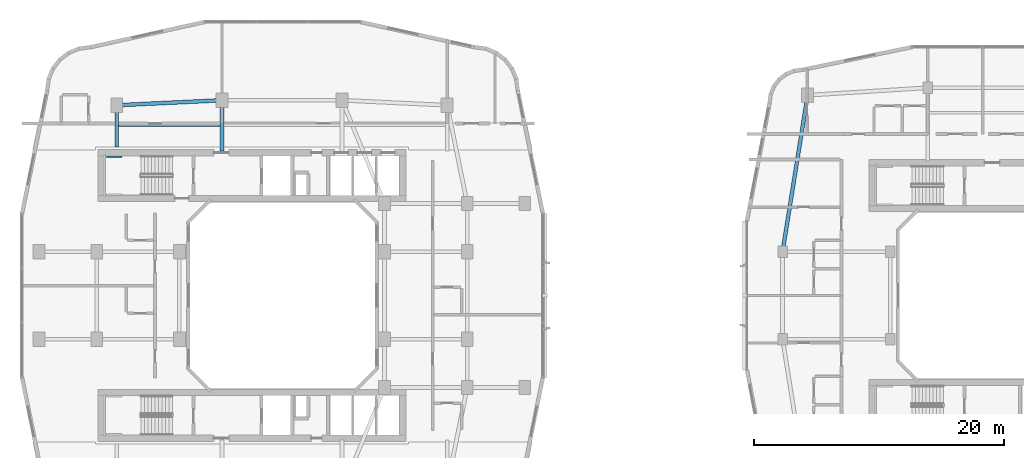
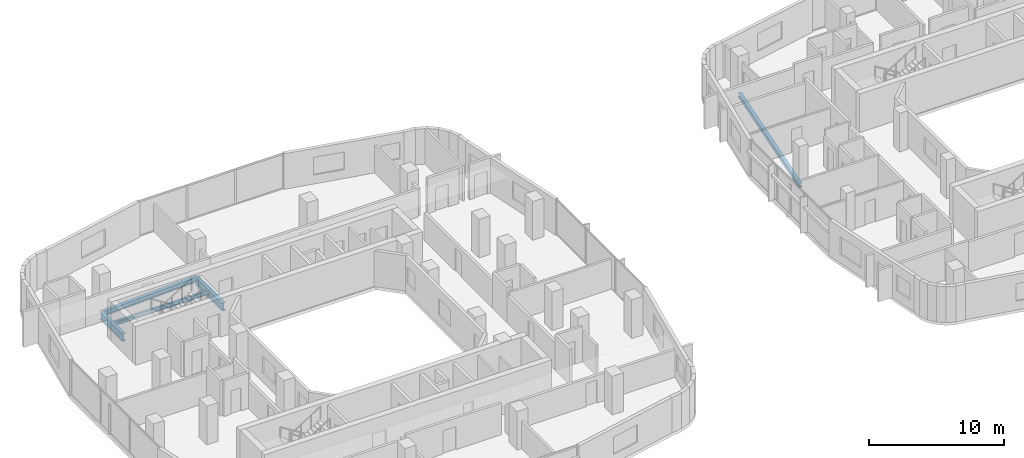
# One storey, part 6 of 26: 6 beams.
"""IFC4 building model written with IfcOpenShell, lengths in metres."""

from ifc_helpers import new_model, si_unit, derived_unit, direction, frame, origin, origin_2d, place, context, subcontext, project, spatial, i_section, extrude, material, material_profile, profile_set, type_object, element, save


model = new_model("IFC4")

# Units and contexts
model_context = context("Model", 3, precision=1e-05, world=origin(), true_north=direction((0.0, 1.0)))
body_context = subcontext(model_context, "Body", "Model", "MODEL_VIEW")
ifc_project = project(units=[si_unit("LENGTHUNIT", "METRE"), si_unit("AREAUNIT", "SQUARE_METRE"), si_unit("VOLUMEUNIT", "CUBIC_METRE"), si_unit("PLANEANGLEUNIT", "RADIAN"), si_unit("MASSUNIT", "GRAM", prefix="KILO"), derived_unit("THERMALTRANSMITTANCEUNIT", [(si_unit("POWERUNIT", "WATT"), 1), (si_unit("LENGTHUNIT", "METRE"), -2), (si_unit("THERMODYNAMICTEMPERATUREUNIT", "KELVIN"), -1)])], contexts=[model_context])

# Site, building, storey
site_placement = place(None, origin())
site = spatial("IfcSite", under=ifc_project, at=site_placement, CompositionType="ELEMENT")
building_placement = place(site_placement, origin())
building = spatial("IfcBuilding", under=site, at=building_placement, Name="Kivonza Crest Hotel", CompositionType="ELEMENT")
storey_placement = place(building_placement, frame((0.0, 0.0, 62.5)))
storey = spatial("IfcBuildingStorey", under=building, at=storey_placement, Name="L16", CompositionType="ELEMENT", Elevation=62.5)

# Beams
ifc_material = material(Name="Steel S355", Category="steel")
ifc_material_profile_1 = material_profile(ifc_material, i_section(OverallWidth=0.300048828125, OverallDepth=0.360107421875, WebThickness=0.012451171875, FlangeThickness=0.0224609375, FilletRadius=0.027099609375, at=origin_2d()), Name="HEB 360")
ifc_profile_set_1 = profile_set([ifc_material_profile_1], Name="Steel S355")
beam_type_1 = type_object("IfcBeamType", Name="BM-HEB360", PredefinedType="SPANDREL", material=ifc_profile_set_1)
beam_1_placement = place(storey_placement, frame((63.0, 41.0, -0.429931640625), z_axis=(-0.157990501107, -0.987440631917, 0.0), x_axis=(0.987440631917, -0.157990501107, 0.0)))
element("IfcBeam", 1, at=beam_1_placement, inside=storey, type_object=beam_type_1, Name="Companion Tower T2 L16 perimeter spandrel NW-W2", PredefinedType="SPANDREL", context=body_context, shape_type="SweptSolid", body=[
    extrude(i_section(OverallWidth=0.300048828125, OverallDepth=0.360107421875, WebThickness=0.012451171875, FlangeThickness=0.0224609375, FilletRadius=0.027099609375, at=origin_2d()), origin(), (0.0, 0.0, 1.0), 12.658935546875),
])
ifc_material_profile_2 = material_profile(ifc_material, i_section(OverallWidth=0.300048828125, OverallDepth=0.449951171875, WebThickness=0.013916015625, FlangeThickness=0.02587890625, FilletRadius=0.027099609375, at=origin_2d()), Name="HEB 450")
ifc_profile_set_2 = profile_set([ifc_material_profile_2], Name="Steel S355")
beam_type_2 = type_object("IfcBeamType", Name="BM-HEB450", PredefinedType="SPANDREL", material=ifc_profile_set_2)
beam_2_placement = place(storey_placement, frame((16.199951171875, 40.60009765625, -0.5048828125), z_axis=(-0.998867283688, -0.047583080799, 0.0), x_axis=(0.047583080799, -0.998867283688, 0.0)))
element("IfcBeam", 2, at=beam_2_placement, inside=storey, type_object=beam_type_2, Name="Tower T1 L16 perimeter spandrel N1-NW", PredefinedType="SPANDREL", context=body_context, shape_type="SweptSolid", body=[
    extrude(i_section(OverallWidth=0.300048828125, OverallDepth=0.449951171875, WebThickness=0.013916015625, FlangeThickness=0.02587890625, FilletRadius=0.027099609375, at=origin_2d()), origin(), (0.0, 0.0, 1.0), 8.409423828125),
])
ifc_material_profile_3 = material_profile(ifc_material, i_section(OverallWidth=0.300048828125, OverallDepth=0.699951171875, WebThickness=0.01708984375, FlangeThickness=0.031982421875, FilletRadius=0.027099609375, at=origin_2d()), Name="HEB 700")
ifc_profile_set_3 = profile_set([ifc_material_profile_3], Name="Steel S355")
beam_type_3 = type_object("IfcBeamType", Name="BM-HEB700", PredefinedType="BEAM", material=ifc_profile_set_3)
beam_3_placement = place(storey_placement, frame((7.800048828125, 40.199951171875, -0.6298828125), z_axis=(0.0, -1.0, 0.0), x_axis=(1.0, 0.0, 0.0)))
element("IfcBeam", 3, at=beam_3_placement, inside=storey, type_object=beam_type_3, Name="Tower T1 L16 radial core girder RNW", PredefinedType="BEAM", context=body_context, shape_type="SweptSolid", body=[
    extrude(i_section(OverallWidth=0.300048828125, OverallDepth=0.699951171875, WebThickness=0.01708984375, FlangeThickness=0.031982421875, FilletRadius=0.027099609375, at=origin_2d()), origin(), (0.0, 0.0, 1.0), 3.349853515625),
])
beam_4_placement = place(storey_placement, frame((16.199951171875, 40.60009765625, -0.6298828125), z_axis=(0.0, -1.0, 0.0), x_axis=(1.0, 0.0, 0.0)))
element("IfcBeam", 4, at=beam_4_placement, inside=storey, type_object=beam_type_3, Name="Tower T1 L16 radial core girder RN1", PredefinedType="BEAM", context=body_context, shape_type="SweptSolid", body=[
    extrude(i_section(OverallWidth=0.300048828125, OverallDepth=0.699951171875, WebThickness=0.01708984375, FlangeThickness=0.031982421875, FilletRadius=0.027099609375, at=origin_2d()), origin(), (0.0, 0.0, 1.0), 4.050048828125),
])
ifc_material_profile_4 = material_profile(ifc_material, i_section(OverallWidth=0.169921875, OverallDepth=0.360107421875, WebThickness=0.008056640625, FlangeThickness=0.0126953125, FilletRadius=0.01806640625, at=origin_2d()), Name="IPE 360")
ifc_profile_set_4 = profile_set([ifc_material_profile_4], Name="Steel S355")
beam_type_4 = type_object("IfcBeamType", Name="BM-IPE360", PredefinedType="JOIST", material=ifc_profile_set_4)
beam_5_placement = place(storey_placement, frame((7.8798828125, 38.60009765625, -0.4599609375), z_axis=(1.0, 0.0, 0.0), x_axis=(0.0, 1.0, 0.0)))
element("IfcBeam", 5, at=beam_5_placement, inside=storey, type_object=beam_type_4, Name="Tower T1 L16 North-West floor joist", PredefinedType="JOIST", context=body_context, shape_type="SweptSolid", body=[
    extrude(i_section(OverallWidth=0.169921875, OverallDepth=0.360107421875, WebThickness=0.008056640625, FlangeThickness=0.0126953125, FilletRadius=0.01806640625, at=origin_2d()), origin(), (0.0, 0.0, 1.0), 8.240234375),
])
ifc_material_profile_5 = material_profile(ifc_material, i_section(OverallWidth=0.1201171875, OverallDepth=0.239990234375, WebThickness=0.006103515625, FlangeThickness=0.009765625, FilletRadius=0.014892578125, at=origin_2d()), Name="IPE 240")
ifc_profile_set_5 = profile_set([ifc_material_profile_5], Name="Steel S355")
beam_type_5 = type_object("IfcBeamType", Name="BM-LLDG-240", PredefinedType="BEAM", material=ifc_profile_set_5)
beam_6_placement = place(storey_placement, frame((6.989990234375, 36.10009765625, 1.429931640625), z_axis=(1.0, 0.0, 0.0), x_axis=(0.0, 1.0, 0.0)))
element("IfcBeam", 6, at=beam_6_placement, inside=storey, type_object=beam_type_5, Name="Stair ST-T1-N L16 North landing corbel", PredefinedType="BEAM", context=body_context, shape_type="SweptSolid", body=[
    extrude(i_section(OverallWidth=0.1201171875, OverallDepth=0.239990234375, WebThickness=0.006103515625, FlangeThickness=0.009765625, FilletRadius=0.014892578125, at=origin_2d()), origin(), (0.0, 0.0, 1.0), 1.2099609375),
])

save(model, "model.ifc")
